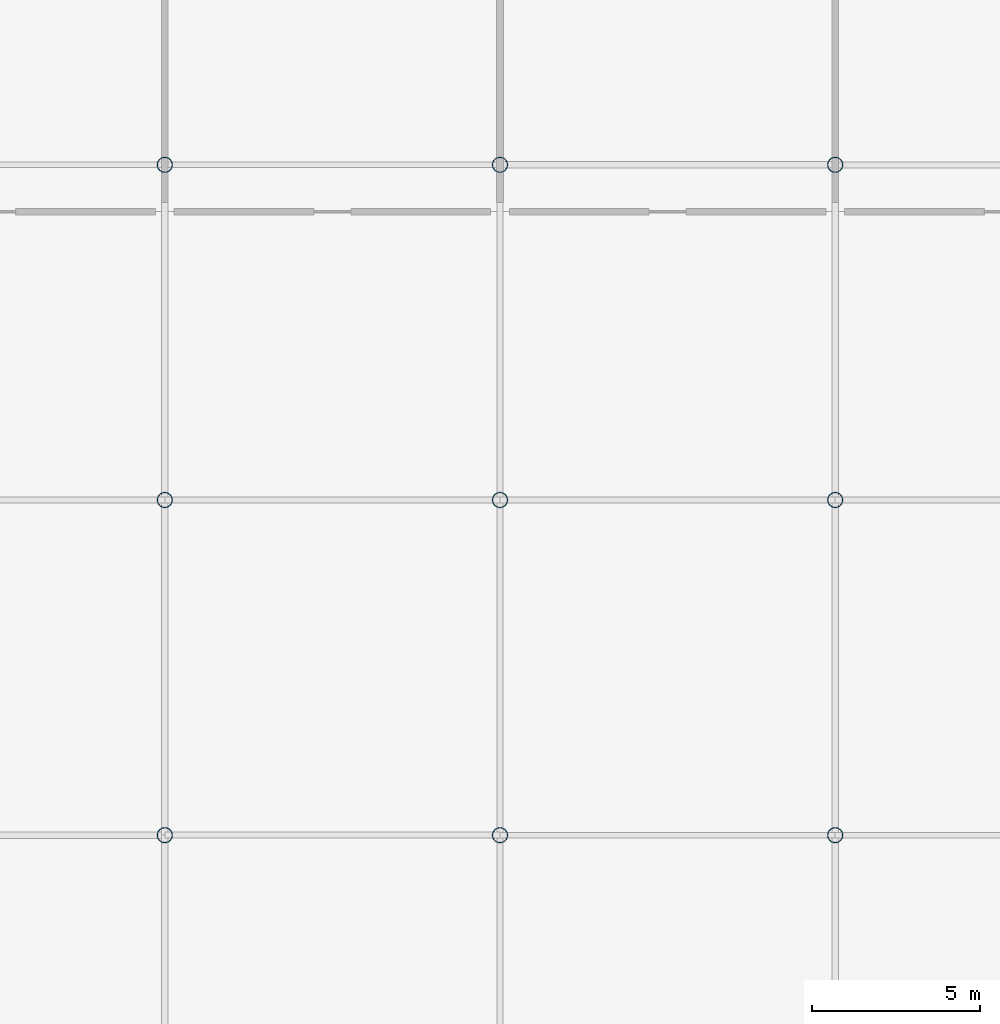
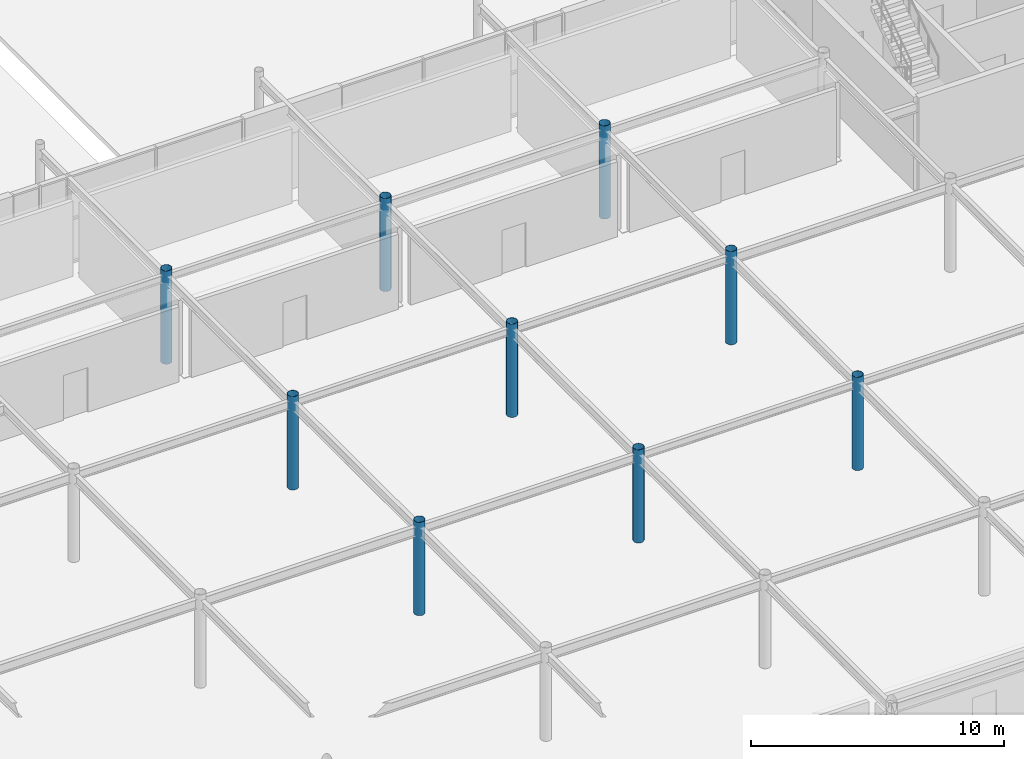
# One storey, part 12 of 119: 9 columns.
"""IFC4 building model written with IfcOpenShell, lengths in metres."""

import ifcopenshell
import ifcopenshell.guid

model = None  # the IFC model being written
_history = None  # IfcOwnerHistory: only IFC2X3 demands one
_inside = {}  # id of a spatial element -> (the spatial element, [elements in it])
_under = {}  # id of a project, library or spatial element -> (it, [spatial elements below it])
_declared = {}  # id of a project -> (the project, [libraries it declares])
_typed = {}  # id of a type object -> (the type object, [elements of that type])
_made_of = {}  # id of a material, layer set ... -> (it, [elements and type objects made of it])


def new_model(schema):
    """Start an empty IFC model of exactly this schema.

    Asked for "IFC4X3", IfcOpenShell would pick the latest addendum, in which some entities
    have other attributes; the version numbers below select the first issue.
    IFC2X3 requires an IfcOwnerHistory on every rooted entity: one is made here for all.
    """
    global model, _history
    if schema == "IFC4X3":
        model = ifcopenshell.file(schema_version=(4, 3, 0, 0))
    else:
        model = ifcopenshell.file(schema=schema)
    _inside.clear()
    _under.clear()
    _declared.clear()
    _typed.clear()
    _made_of.clear()
    _history = None
    if model.schema == "IFC2X3":
        org = make("IfcOrganization", Name="unknown")
        user = make(
            "IfcPersonAndOrganization",
            ThePerson=make("IfcPerson", FamilyName="unknown"),
            TheOrganization=org,
        )
        app = make(
            "IfcApplication",
            ApplicationDeveloper=org,
            Version="unknown",
            ApplicationFullName="unknown",
            ApplicationIdentifier="unknown",
        )
        _history = make(
            "IfcOwnerHistory",
            OwningUser=user,
            OwningApplication=app,
            ChangeAction="ADDED",
            CreationDate=0,
        )
    return model


def make(cls, **values):
    """One entity of the class cls with the attributes given. An attribute that is None is left unset."""
    return model.create_entity(
        cls, **{name: value for name, value in values.items() if value is not None}
    )


def rooted(cls, **values):
    """An entity with a GlobalId (a new one), such as an element, a storey or a relation."""
    return make(cls, GlobalId=ifcopenshell.guid.new(), OwnerHistory=_history, **values)


def si_unit(unit_type, name, prefix=None):
    """IfcSIUnit, for example si_unit("LENGTHUNIT", "METRE", prefix="MILLI")."""
    return make("IfcSIUnit", UnitType=unit_type, Prefix=prefix, Name=name)


def derived_unit(unit_type, elements):
    """IfcDerivedUnit: a product of units, each with its exponent."""
    return make(
        "IfcDerivedUnit",
        Elements=[
            make("IfcDerivedUnitElement", Unit=unit, Exponent=power)
            for unit, power in elements
        ],
        UnitType=unit_type,
    )


def assignment(units):
    """IfcUnitAssignment: the units of a project."""
    return None if units is None else make("IfcUnitAssignment", Units=units)


def point(xyz):
    """IfcCartesianPoint."""
    return None if xyz is None else make("IfcCartesianPoint", Coordinates=xyz)


def direction(xyz):
    """IfcDirection."""
    return None if xyz is None else make("IfcDirection", DirectionRatios=xyz)


def frame(location, z_axis=None, x_axis=None):
    """IfcAxis2Placement3D, a coordinate frame: its origin and axes. An axis left out is left unset."""
    return make(
        "IfcAxis2Placement3D",
        Location=point(location),
        Axis=direction(z_axis),
        RefDirection=direction(x_axis),
    )


def frame_2d(location, x_axis=None):
    """IfcAxis2Placement2D, a coordinate frame in the plane: its origin and x axis."""
    return make(
        "IfcAxis2Placement2D", Location=point(location), RefDirection=direction(x_axis)
    )


def origin():
    """The frame at (0, 0, 0) with its axes left unset."""
    return frame((0.0, 0.0, 0.0))


def origin_2d_with_axis():
    """The frame at (0, 0) in the plane with the x axis (1, 0) written out."""
    return frame_2d((0.0, 0.0), x_axis=(1.0, 0.0))


def place(relative_to, where):
    """IfcLocalPlacement: puts the frame where relative to a parent placement (None: the world)."""
    return make(
        "IfcLocalPlacement", PlacementRelTo=relative_to, RelativePlacement=where
    )


def context(
    kind, dimensions, precision=None, world=None, true_north=None, identifier=None
):
    """IfcGeometricRepresentationContext, for example the 3D "Model" context."""
    return make(
        "IfcGeometricRepresentationContext",
        ContextIdentifier=identifier,
        ContextType=kind,
        CoordinateSpaceDimension=dimensions,
        Precision=precision,
        WorldCoordinateSystem=world,
        TrueNorth=true_north,
    )


def subcontext(parent, identifier, kind, view, scale=None):
    """IfcGeometricRepresentationSubContext, for example "Body" below "Model"."""
    return make(
        "IfcGeometricRepresentationSubContext",
        ContextIdentifier=identifier,
        ContextType=kind,
        ParentContext=parent,
        TargetScale=scale,
        TargetView=view,
    )


def project(units=None, contexts=None):
    """IfcProject with its units and contexts."""
    return rooted(
        "IfcProject",
        Name="project",
        RepresentationContexts=contexts,
        UnitsInContext=assignment(units),
    )


def spatial(cls, under=None, at=None, **own):
    """A site, building, storey or space (cls), placed at a placement, below another one or the project."""
    s = rooted(cls, ObjectPlacement=at, **own)
    if under is not None:
        _under.setdefault(under.id(), (under, []))[1].append(s)
    return s


def profile(cls, at=None, kind="AREA", **sizes):
    """A parametric profile (cls). Its sizes go by their IFC names, for example OverallWidth=200.0."""
    return make(cls, ProfileType=kind, Position=at, **sizes)


def hollow_circle(**sizes):
    """IfcCircleHollowProfileDef."""
    return profile("IfcCircleHollowProfileDef", **sizes)


def extrude(swept, where, along, depth):
    """IfcExtrudedAreaSolid: the profile swept, set in the frame where, extruded along a direction by depth."""
    return make(
        "IfcExtrudedAreaSolid",
        SweptArea=swept,
        Position=where,
        ExtrudedDirection=direction(along),
        Depth=depth,
    )


def shape(context_of_items, identifier, shape_type, items):
    """IfcShapeRepresentation: the items that make up one representation, for example the "Body"."""
    return make(
        "IfcShapeRepresentation",
        ContextOfItems=context_of_items,
        RepresentationIdentifier=identifier,
        RepresentationType=shape_type,
        Items=items,
    )


def material(Name=None, Category=None):
    """IfcMaterial."""
    return make("IfcMaterial", Name=Name, Category=Category)


def material_profile(
    of_material, cross_section, Name=None, Category=None, Priority=None
):
    """IfcMaterialProfile: a cross section and its material."""
    return make(
        "IfcMaterialProfile",
        Name=Name,
        Material=of_material,
        Profile=cross_section,
        Priority=Priority,
        Category=Category,
    )


def profile_set(profiles, Name=None, composite=None):
    """IfcMaterialProfileSet."""
    return make(
        "IfcMaterialProfileSet",
        Name=Name,
        MaterialProfiles=profiles,
        CompositeProfile=composite,
    )


def made_of(thing, what):
    """Note that an element or type object is made of a material, layer set ...; save() writes the relation."""
    if what is not None:
        _made_of.setdefault(what.id(), (what, []))[1].append(thing)
    return thing


def type_object(cls, material=None, **own):
    """A type object (cls), such as IfcWallType, which elements share."""
    return made_of(rooted(cls, **own), material)


def element(
    cls,
    number,
    at=None,
    inside=None,
    cuts=None,
    type_object=None,
    material=None,
    context=None,
    identifier="Body",
    shape_type=None,
    held_by="IfcProductDefinitionShape",
    body=None,
    shapes=None,
    **own,
):
    """One element of the class cls, such as IfcWall. Its Tag is "e" and its number.

    at: its placement. inside: the storey or other place that contains it. cuts: it is an
    opening in that element (IfcRelVoidsElement). A single representation is given by context,
    identifier, shape_type and body (its items); several are given by shapes. held_by: the class
    of the entity that holds the representations. save() writes the other relations.
    """
    e = rooted(cls, Tag="e%d" % number, ObjectPlacement=at, **own)
    if body is not None:
        shapes = [shape(context, identifier, shape_type, body)]
    if shapes is not None:
        e.Representation = make(held_by, Representations=shapes)
    if inside is not None:
        _inside.setdefault(inside.id(), (inside, []))[1].append(e)
    if cuts is not None:
        rooted(
            "IfcRelVoidsElement", RelatingBuildingElement=cuts, RelatedOpeningElement=e
        )
    if type_object is not None:
        _typed.setdefault(type_object.id(), (type_object, []))[1].append(e)
    return made_of(e, material)


def aggregate(whole, parts):
    """IfcRelAggregates: a whole, such as a stair, and the parts it consists of."""
    return rooted("IfcRelAggregates", RelatingObject=whole, RelatedObjects=parts)


def save(model, path):
    """Write the relations noted so far, then the file.

    IfcRelAggregates (storeys below a building ...), IfcRelContainedInSpatialStructure (elements
    in a storey), IfcRelDefinesByType, IfcRelAssociatesMaterial and IfcRelDeclares: one each for
    every whole, place, type object, material and project.
    """
    for whole, parts in _under.values():
        aggregate(whole, parts)
    for where, things in _inside.values():
        rooted(
            "IfcRelContainedInSpatialStructure",
            RelatedElements=things,
            RelatingStructure=where,
        )
    for kind, things in _typed.values():
        rooted("IfcRelDefinesByType", RelatedObjects=things, RelatingType=kind)
    for what, things in _made_of.values():
        rooted("IfcRelAssociatesMaterial", RelatedObjects=things, RelatingMaterial=what)
    for by, libraries in _declared.values():
        rooted("IfcRelDeclares", RelatingContext=by, RelatedDefinitions=libraries)
    model.write(path)


model = new_model("IFC4")

# Units and contexts
model_context = context("Model", 3, precision=1e-05, world=origin(), true_north=direction((0.0, 1.0)))
body_context = subcontext(model_context, "Body", "Model", "MODEL_VIEW")
ifc_project = project(units=[si_unit("LENGTHUNIT", "METRE"), si_unit("AREAUNIT", "SQUARE_METRE"), si_unit("VOLUMEUNIT", "CUBIC_METRE"), si_unit("PLANEANGLEUNIT", "RADIAN"), si_unit("MASSUNIT", "GRAM", prefix="KILO"), derived_unit("THERMALTRANSMITTANCEUNIT", [(si_unit("POWERUNIT", "WATT"), 1), (si_unit("LENGTHUNIT", "METRE"), -2), (si_unit("THERMODYNAMICTEMPERATUREUNIT", "KELVIN"), -1)])], contexts=[model_context])

# Site, building, storey
site_placement = place(None, origin())
site = spatial("IfcSite", under=ifc_project, at=site_placement, CompositionType="ELEMENT")
building_placement = place(site_placement, origin())
building = spatial("IfcBuilding", under=site, at=building_placement, Name="Cinnabar Yard Market Hall", CompositionType="ELEMENT")
storey_placement = place(building_placement, origin())
storey = spatial("IfcBuildingStorey", under=building, at=storey_placement, Name="L00", CompositionType="ELEMENT", Elevation=0.0)

# Columns
ifc_material = material(Name="Spotted-gum glulam-clad steel Grade 350 (350 MPa)", Category="steel")
ifc_material_profile = material_profile(ifc_material, hollow_circle(Radius=0.228515625, WallThickness=0.0126953125, at=origin_2d_with_axis()), Name="457.0x12.7CHS")
ifc_profile_set = profile_set([ifc_material_profile], Name="Spotted-gum glulam-clad steel Grade 350 (350 MPa)")
column_type = type_object("IfcColumnType", Name="COL-C01", PredefinedType="COLUMN", material=ifc_profile_set)
for number, where, z_axis, x_axis, name in (
    (1, (106.0, 44.0, 0.0), (0.0, 0.0, 1.0), (1.0, 0.0, 0.0), "Tree Column V1I-04-03 L00"),
    (2, (106.0, 54.0, 0.0), (0.0, 0.0, 1.0), (1.0, 0.0, 0.0), "Tree Column V1I-04-04 L00"),
    (3, (106.0, 64.0, 0.0), (0.0, 0.0, 1.0), (1.0, 0.0, 0.0), "Tree Column V1I-04-05 L00"),
    (4, (116.0, 44.0, 0.0), (0.0, 0.0, 1.0), (1.0, 0.0, 0.0), "Tree Column V1I-05-03 L00"),
    (5, (116.0, 54.0, 0.0), (0.0, 0.0, 1.0), (1.0, 0.0, 0.0), "Tree Column V1I-05-04 L00"),
    (6, (116.0, 64.0, 0.0), (0.0, 0.0, 1.0), (1.0, 0.0, 0.0), "Tree Column V1I-05-05 L00"),
    (7, (126.0, 44.0, 0.0), (0.0, 0.0, 1.0), (1.0, 0.0, 0.0), "Tree Column V1I-06-03 L00"),
    (8, (126.0, 54.0, 0.0), (0.0, 0.0, 1.0), (1.0, 0.0, 0.0), "Tree Column V1I-06-04 L00"),
    (9, (126.0, 64.0, 0.0), (0.0, 0.0, 1.0), (1.0, 0.0, 0.0), "Tree Column V1I-06-05 L00"),
):
    element("IfcColumn", number, at=place(storey_placement, frame(where, z_axis=z_axis, x_axis=x_axis)), inside=storey, type_object=column_type, Name=name, PredefinedType="COLUMN", context=body_context, shape_type="SweptSolid", body=[
        extrude(hollow_circle(Radius=0.228515625, WallThickness=0.0126953125, at=origin_2d_with_axis()), origin(), (0.0, 0.0, 1.0), 4.5),
    ])

save(model, "model.ifc")
